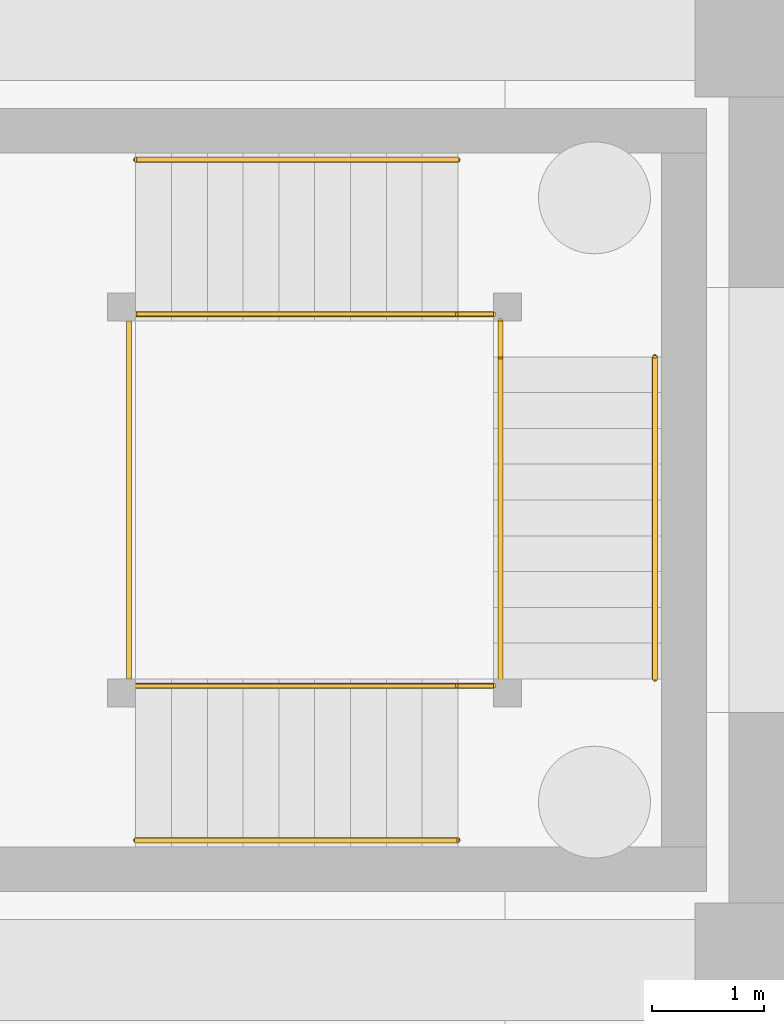
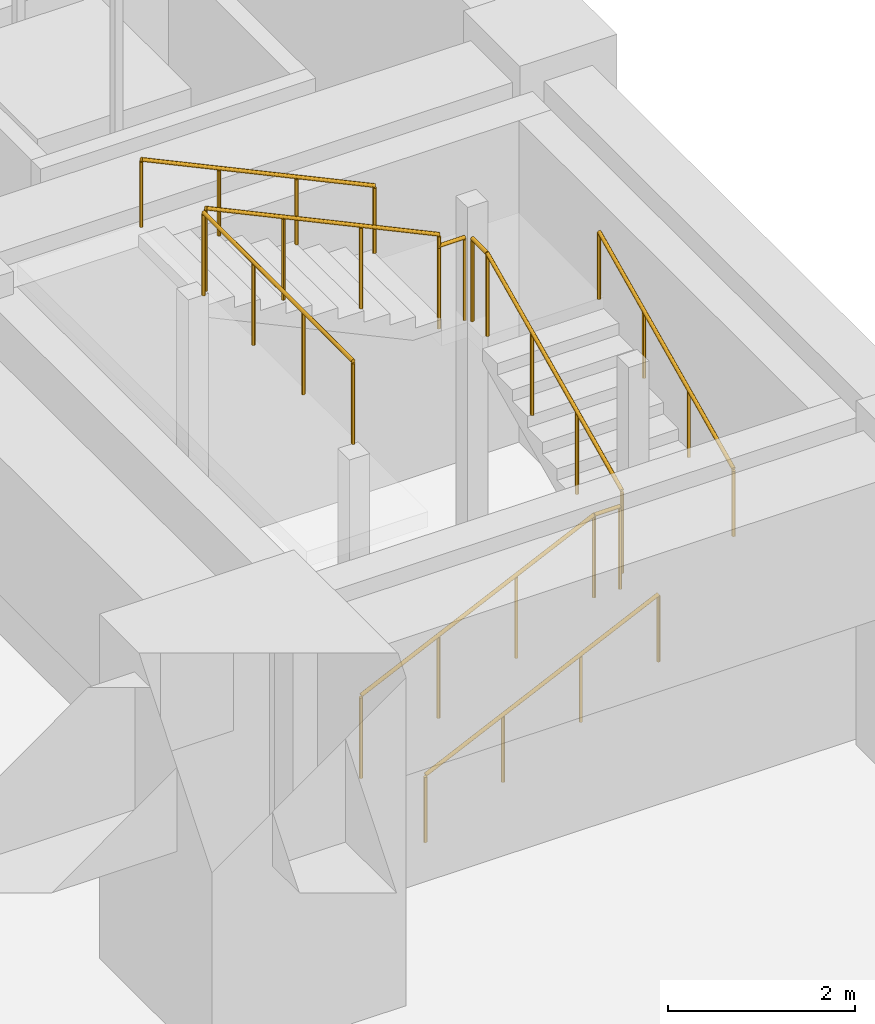
# One storey, part 18 of 28: 10 railings.
"""IFC4 building model written with IfcOpenShell, lengths in metres."""

from ifc_helpers import new_model, si_unit, direction, frame, origin, origin_2d, place, context, subcontext, project, spatial, circle, extrude, material, type_object, element, save


model = new_model("IFC4")

# Units and contexts
model_context = context("Model", 3, precision=1e-05, world=origin(), true_north=direction((0.0, 1.0)))
body_context = subcontext(model_context, "Body", "Model", "MODEL_VIEW")
ifc_project = project(units=[si_unit("LENGTHUNIT", "METRE"), si_unit("AREAUNIT", "SQUARE_METRE"), si_unit("VOLUMEUNIT", "CUBIC_METRE"), si_unit("PLANEANGLEUNIT", "RADIAN"), si_unit("MASSUNIT", "GRAM", prefix="KILO")], contexts=[model_context])

# Site, building, storey
site_placement = place(None, origin())
site = spatial("IfcSite", under=ifc_project, at=site_placement, CompositionType="ELEMENT")
building_placement = place(site_placement, origin())
building = spatial("IfcBuilding", under=site, at=building_placement, Name="Rekha Terrace Tower", CompositionType="ELEMENT")
storey_placement = place(building_placement, frame((0.0, 0.0, -9.89990234375)))
storey = spatial("IfcBuildingStorey", under=building, at=storey_placement, Name="B-02", CompositionType="ELEMENT", Elevation=-9.89990234375)

# Railings
ifc_material_1 = material(Name="Stainless steel balustrade", Category="steel")
railing_type_1 = type_object("IfcRailingType", Name="GR1 1100 stair guard", PredefinedType="GUARDRAIL", material=ifc_material_1)
railing_1_placement = place(storey_placement, frame((70.0, 27.739990234375, 0.14990234375)))
element("IfcRailing", 1, at=railing_1_placement, inside=storey, type_object=railing_type_1, Name="Guard SP2 B-02 flight 1", PredefinedType="GUARDRAIL", context=body_context, shape_type="SweptSolid", body=[
    extrude(circle(Radius=0.02392578125, at=origin_2d()), frame((0.0, 0.0, 1.076171875), z_axis=(0.905440498372, 0.0, 0.424473207528), x_axis=(0.0, 1.0, 0.0)), (0.0, 0.0, 1.0), 3.1806640625),
    extrude(circle(Radius=0.02099609375, at=origin_2d()), origin(), (0.0, 0.0, 1.0), 1.052001953125),
    extrude(circle(Radius=0.02099609375, at=origin_2d()), frame((0.9599609375, 0.0, 0.449951171875)), (0.0, 0.0, 1.0), 1.052001953125),
    extrude(circle(Radius=0.02099609375, at=origin_2d()), frame((1.919921875, 0.0, 0.900146484375)), (0.0, 0.0, 1.0), 1.052001953125),
    extrude(circle(Radius=0.02099609375, at=origin_2d()), frame((2.8798828125, 0.0, 1.35009765625)), (0.0, 0.0, 1.0), 1.052001953125),
])
railing_2_placement = place(storey_placement, frame((73.260009765625, 27.800048828125, 1.64990234375)))
element("IfcRailing", 2, at=railing_2_placement, inside=storey, type_object=railing_type_1, Name="Guard SP2 B-02 flight 2", PredefinedType="GUARDRAIL", context=body_context, shape_type="SweptSolid", body=[
    extrude(circle(Radius=0.02392578125, at=origin_2d()), frame((0.0, 0.0, 1.076171875), z_axis=(0.0, 0.905440498372, 0.424473207528), x_axis=(-1.0, 0.0, 0.0)), (0.0, 0.0, 1.0), 3.1806640625),
    extrude(circle(Radius=0.02099609375, at=origin_2d()), origin(), (0.0, 0.0, 1.0), 1.052001953125),
    extrude(circle(Radius=0.02099609375, at=origin_2d()), frame((0.0, 0.9599609375, 0.449951171875)), (0.0, 0.0, 1.0), 1.052001953125),
    extrude(circle(Radius=0.02099609375, at=origin_2d()), frame((0.0, 1.919921875, 0.900146484375)), (0.0, 0.0, 1.0), 1.052001953125),
    extrude(circle(Radius=0.02099609375, at=origin_2d()), frame((0.0, 2.8798828125, 1.35009765625)), (0.0, 0.0, 1.0), 1.052001953125),
])
railing_3_placement = place(storey_placement, frame((72.8798828125, 31.06005859375, 3.14990234375)))
element("IfcRailing", 3, at=railing_3_placement, inside=storey, type_object=railing_type_1, Name="Guard SP2 B-02 flight 3", PredefinedType="GUARDRAIL", context=body_context, shape_type="SweptSolid", body=[
    extrude(circle(Radius=0.02392578125, at=origin_2d()), frame((0.0, 0.0, 1.076171875), z_axis=(-0.905440498372, 0.0, 0.424473207528), x_axis=(0.0, -1.0, 0.0)), (0.0, 0.0, 1.0), 3.1806640625),
    extrude(circle(Radius=0.02099609375, at=origin_2d()), origin(), (0.0, 0.0, 1.0), 1.052001953125),
    extrude(circle(Radius=0.02099609375, at=origin_2d()), frame((-0.9599609375, 0.0, 0.449951171875)), (0.0, 0.0, 1.0), 1.052001953125),
    extrude(circle(Radius=0.02099609375, at=origin_2d()), frame((-1.919921875, 0.0, 0.900146484375)), (0.0, 0.0, 1.0), 1.052001953125),
    extrude(circle(Radius=0.02099609375, at=origin_2d()), frame((-2.8798828125, 0.0, 1.35009765625)), (0.0, 0.0, 1.0), 1.052001953125),
])
railing_4_placement = place(storey_placement, frame((72.8798828125, 27.739990234375, 1.5)))
element("IfcRailing", 4, at=railing_4_placement, inside=storey, type_object=railing_type_1, Name="Guard SP2 B-02 landing 1", PredefinedType="GUARDRAIL", context=body_context, shape_type="SweptSolid", body=[
    extrude(circle(Radius=0.02392578125, at=origin_2d()), frame((0.0, 0.0, 1.076171875), z_axis=(1.0, 0.0, 0.0), x_axis=(0.0, 1.0, 0.0)), (0.0, 0.0, 1.0), 0.320068359375),
    extrude(circle(Radius=0.02099609375, at=origin_2d()), origin(), (0.0, 0.0, 1.0), 1.052001953125),
    extrude(circle(Radius=0.02099609375, at=origin_2d()), frame((0.320068359375, 0.0, 0.0)), (0.0, 0.0, 1.0), 1.052001953125),
])
railing_5_placement = place(storey_placement, frame((73.260009765625, 30.679931640625, 3.0)))
element("IfcRailing", 5, at=railing_5_placement, inside=storey, type_object=railing_type_1, Name="Guard SP2 B-02 landing 2", PredefinedType="GUARDRAIL", context=body_context, shape_type="SweptSolid", body=[
    extrude(circle(Radius=0.02392578125, at=origin_2d()), frame((0.0, 0.0, 1.076171875), z_axis=(0.0, 1.0, 0.0), x_axis=(-1.0, 0.0, 0.0)), (0.0, 0.0, 1.0), 0.320068359375),
    extrude(circle(Radius=0.02099609375, at=origin_2d()), origin(), (0.0, 0.0, 1.0), 1.052001953125),
    extrude(circle(Radius=0.02099609375, at=origin_2d()), frame((0.0, 0.320068359375, 0.0)), (0.0, 0.0, 1.0), 1.052001953125),
])
railing_6_placement = place(storey_placement, frame((72.8798828125, 31.06005859375, 3.0)))
element("IfcRailing", 6, at=railing_6_placement, inside=storey, type_object=railing_type_1, Name="Guard SP2 B-02 landing 3", PredefinedType="GUARDRAIL", context=body_context, shape_type="SweptSolid", body=[
    extrude(circle(Radius=0.02392578125, at=origin_2d()), frame((0.0, 0.0, 1.076171875), z_axis=(1.0, 0.0, 0.0), x_axis=(0.0, 1.0, 0.0)), (0.0, 0.0, 1.0), 0.320068359375),
    extrude(circle(Radius=0.02099609375, at=origin_2d()), origin(), (0.0, 0.0, 1.0), 1.052001953125),
    extrude(circle(Radius=0.02099609375, at=origin_2d()), frame((0.320068359375, 0.0, 0.0)), (0.0, 0.0, 1.0), 1.052001953125),
])
railing_7_placement = place(storey_placement, frame((69.93994140625, 27.800048828125, 4.5)))
element("IfcRailing", 7, at=railing_7_placement, inside=storey, type_object=railing_type_1, Name="Guard SP2 B-02 landing 4", PredefinedType="GUARDRAIL", context=body_context, shape_type="SweptSolid", body=[
    extrude(circle(Radius=0.02392578125, at=origin_2d()), frame((0.0, 0.0, 1.076171875), z_axis=(0.0, 1.0, 0.0), x_axis=(-1.0, 0.0, 0.0)), (0.0, 0.0, 1.0), 3.199951171875),
    extrude(circle(Radius=0.02099609375, at=origin_2d()), origin(), (0.0, 0.0, 1.0), 1.052001953125),
    extrude(circle(Radius=0.02099609375, at=origin_2d()), frame((0.0, 1.066650390625, 0.0)), (0.0, 0.0, 1.0), 1.052001953125),
    extrude(circle(Radius=0.02099609375, at=origin_2d()), frame((0.0, 2.13330078125, 0.0)), (0.0, 0.0, 1.0), 1.052001953125),
    extrude(circle(Radius=0.02099609375, at=origin_2d()), frame((0.0, 3.199951171875, 0.0)), (0.0, 0.0, 1.0), 1.052001953125),
])
ifc_material_2 = material(Name="Stainless steel tube", Category="steel")
railing_type_2 = type_object("IfcRailingType", Name="HR1 900 stair handrail", PredefinedType="HANDRAIL", material=ifc_material_2)
railing_8_placement = place(storey_placement, frame((70.0, 26.360107421875, 0.14990234375)))
element("IfcRailing", 8, at=railing_8_placement, inside=storey, type_object=railing_type_2, Name="Handrail SP2 B-02 flight 1", PredefinedType="HANDRAIL", context=body_context, shape_type="SweptSolid", body=[
    extrude(circle(Radius=0.02392578125, at=origin_2d()), frame((0.0, 0.0, 0.8759765625), z_axis=(0.905440498372, 0.0, 0.424473207528), x_axis=(0.0, 1.0, 0.0)), (0.0, 0.0, 1.0), 3.1806640625),
    extrude(circle(Radius=0.02099609375, at=origin_2d()), origin(), (0.0, 0.0, 1.0), 0.851806640625),
    extrude(circle(Radius=0.02099609375, at=origin_2d()), frame((0.9599609375, 0.0, 0.449951171875)), (0.0, 0.0, 1.0), 0.851806640625),
    extrude(circle(Radius=0.02099609375, at=origin_2d()), frame((1.919921875, 0.0, 0.900146484375)), (0.0, 0.0, 1.0), 0.851806640625),
    extrude(circle(Radius=0.02099609375, at=origin_2d()), frame((2.8798828125, 0.0, 1.35009765625)), (0.0, 0.0, 1.0), 0.851806640625),
])
railing_9_placement = place(storey_placement, frame((74.639892578125, 27.800048828125, 1.64990234375)))
element("IfcRailing", 9, at=railing_9_placement, inside=storey, type_object=railing_type_2, Name="Handrail SP2 B-02 flight 2", PredefinedType="HANDRAIL", context=body_context, shape_type="SweptSolid", body=[
    extrude(circle(Radius=0.02392578125, at=origin_2d()), frame((0.0, 0.0, 0.8759765625), z_axis=(0.0, 0.905440498372, 0.424473207528), x_axis=(-1.0, 0.0, 0.0)), (0.0, 0.0, 1.0), 3.1806640625),
    extrude(circle(Radius=0.02099609375, at=origin_2d()), origin(), (0.0, 0.0, 1.0), 0.851806640625),
    extrude(circle(Radius=0.02099609375, at=origin_2d()), frame((0.0, 0.9599609375, 0.449951171875)), (0.0, 0.0, 1.0), 0.851806640625),
    extrude(circle(Radius=0.02099609375, at=origin_2d()), frame((0.0, 1.919921875, 0.900146484375)), (0.0, 0.0, 1.0), 0.851806640625),
    extrude(circle(Radius=0.02099609375, at=origin_2d()), frame((0.0, 2.8798828125, 1.35009765625)), (0.0, 0.0, 1.0), 0.851806640625),
])
railing_10_placement = place(storey_placement, frame((72.8798828125, 32.43994140625, 3.14990234375)))
element("IfcRailing", 10, at=railing_10_placement, inside=storey, type_object=railing_type_2, Name="Handrail SP2 B-02 flight 3", PredefinedType="HANDRAIL", context=body_context, shape_type="SweptSolid", body=[
    extrude(circle(Radius=0.02392578125, at=origin_2d()), frame((0.0, 0.0, 0.8759765625), z_axis=(-0.905440498372, 0.0, 0.424473207528), x_axis=(0.0, -1.0, 0.0)), (0.0, 0.0, 1.0), 3.1806640625),
    extrude(circle(Radius=0.02099609375, at=origin_2d()), origin(), (0.0, 0.0, 1.0), 0.851806640625),
    extrude(circle(Radius=0.02099609375, at=origin_2d()), frame((-0.9599609375, 0.0, 0.449951171875)), (0.0, 0.0, 1.0), 0.851806640625),
    extrude(circle(Radius=0.02099609375, at=origin_2d()), frame((-1.919921875, 0.0, 0.900146484375)), (0.0, 0.0, 1.0), 0.851806640625),
    extrude(circle(Radius=0.02099609375, at=origin_2d()), frame((-2.8798828125, 0.0, 1.35009765625)), (0.0, 0.0, 1.0), 0.851806640625),
])

save(model, "model.ifc")
